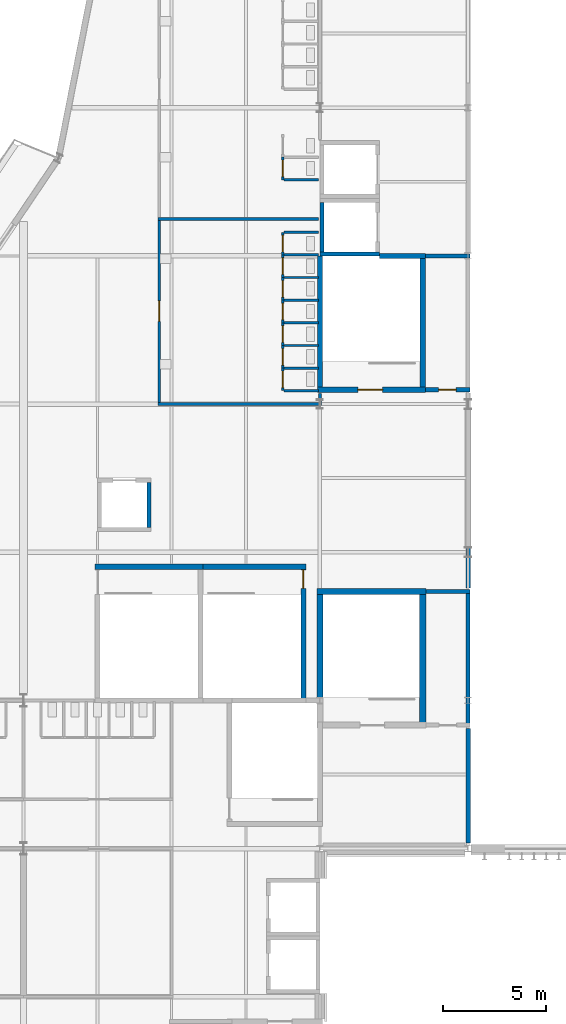
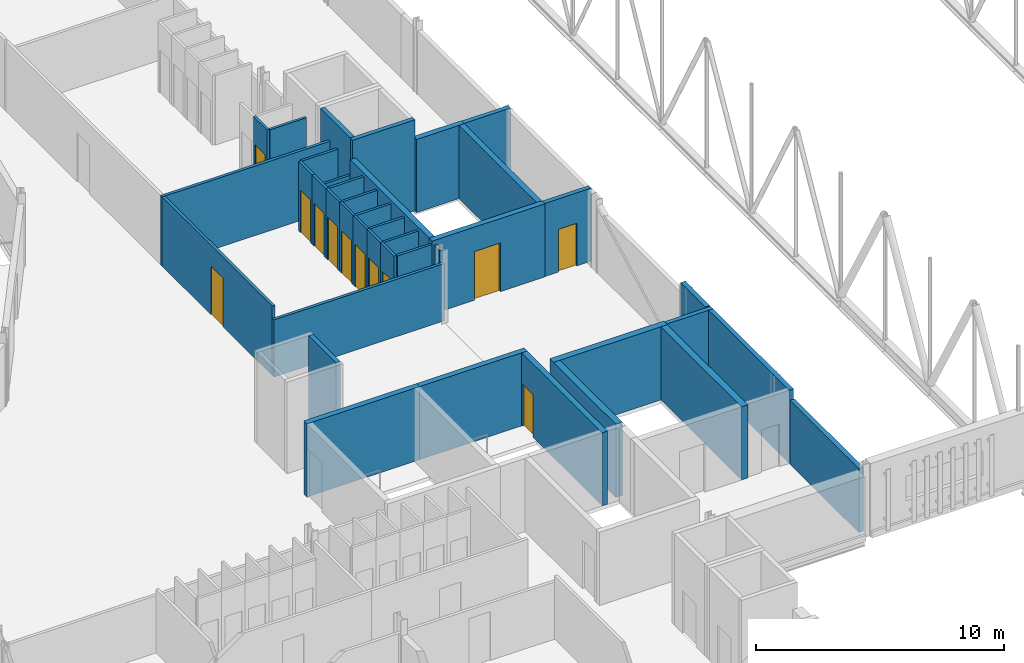
# One storey, part 92 of 142: 40 walls, 12 doors, 12 openings.
"""IFC4 building model written with IfcOpenShell, lengths in metres."""

from ifc_helpers import new_model, si_unit, direction, frame, frame_2d, origin, place, context, subcontext, project, spatial, rectangle, extrude, material, layer, layer_set, type_object, element, fill, save


model = new_model("IFC4")

# Units and contexts
model_context = context("Model", 3, precision=1e-05, world=origin(), true_north=direction((0.0, 1.0)))
body_context = subcontext(model_context, "Body", "Model", "MODEL_VIEW")
ifc_project = project(units=[si_unit("LENGTHUNIT", "METRE"), si_unit("AREAUNIT", "SQUARE_METRE"), si_unit("VOLUMEUNIT", "CUBIC_METRE"), si_unit("PLANEANGLEUNIT", "RADIAN"), si_unit("MASSUNIT", "GRAM", prefix="KILO")], contexts=[model_context])

# Site, building, storey
site_placement = place(None, origin())
site = spatial("IfcSite", under=ifc_project, at=site_placement, CompositionType="ELEMENT")
building_placement = place(site_placement, origin())
building = spatial("IfcBuilding", under=site, at=building_placement, Name="Kupolbacken Congress Centre", CompositionType="ELEMENT")
storey_placement = place(building_placement, frame((0.0, 0.0, 14.39990234375)))
storey = spatial("IfcBuildingStorey", under=building, at=storey_placement, Name="L04", CompositionType="ELEMENT", Elevation=14.39990234375)

# Wall, opening, door
ifc_material_1 = material(Name="Gypsum board", Category="drywall")
ifc_layer_1 = layer(ifc_material_1, 0.114990234375)
ifc_layer_set_1 = layer_set([ifc_layer_1], Name="Gypsum board")
wall_type_1 = type_object("IfcWallType", Name="P04 partition 115", PredefinedType="PARTITIONING", material=ifc_layer_set_1)
wall_1_placement = place(storey_placement, frame((77.39990234375, 65.449951171875, 0.0), z_axis=(0.0, 0.0, 1.0), x_axis=(0.0, 1.0, 0.0)))
wall_1 = element("IfcWall", 1, at=wall_1_placement, inside=storey, type_object=wall_type_1, Name="PD/L04/P-29-11/cub01/F", PredefinedType="PARTITIONING", context=body_context, shape_type="SweptSolid", body=[
    extrude(rectangle(XDim=1.10009765625, YDim=0.114990234375, at=frame_2d((0.550048828125, 0.0))), origin(), (0.0, 0.0, 1.0), 3.420166015625),
])
opening_1_placement = place(wall_1_placement, frame((0.14990234375, 0.0, 0.0)))
opening_1 = element("IfcOpeningElement", 2, at=opening_1_placement, cuts=wall_1, Name="Opening 4.WP105", PredefinedType="OPENING", context=body_context, shape_type="SweptSolid", body=[
    extrude(rectangle(XDim=0.800048828125, YDim=2.10009765625, at=frame_2d((0.39990234375, 1.050048828125))), frame((0.0, 0.0673828125, 0.0), z_axis=(0.0, -1.0, 0.0), x_axis=(1.0, 0.0, 0.0)), (0.0, 0.0, 1.0), 0.135009765625),
])
ifc_material_2 = material(Name="Timber door leaf", Category="wood")
door_type_1 = type_object("IfcDoorType", Name="D2 door 800x2100", OperationType="SINGLE_SWING_LEFT", PredefinedType="DOOR", material=ifc_material_2)
door_1_placement = place(opening_1_placement, origin())
door_1 = element("IfcDoor", 3, at=door_1_placement, inside=storey, type_object=door_type_1, Name="PD/L04/P-29-11/cub01/F/DC", OperationType="SINGLE_SWING_RIGHT", OverallHeight=2.10009765625, OverallWidth=0.800048828125, PredefinedType="DOOR", context=body_context, shape_type="SweptSolid", body=[
    extrude(rectangle(XDim=0.800048828125, YDim=2.10009765625, at=frame_2d((0.39990234375, 1.050048828125))), frame((0.0, 0.02490234375, 0.0), z_axis=(0.0, -1.0, 0.0), x_axis=(1.0, 0.0, 0.0)), (0.0, 0.0, 1.0), 0.050048828125),
])
fill(opening_1, door_1)

# Wall
wall_2_placement = place(storey_placement, frame((79.142578125, 65.449951171875, 0.0), z_axis=(0.0, 0.0, 1.0), x_axis=(-1.0, 0.0, 0.0)))
element("IfcWall", 4, at=wall_2_placement, inside=storey, type_object=wall_type_1, Name="PD/L04/P-29-11/cub01/a", PredefinedType="PARTITIONING", context=body_context, shape_type="SweptSolid", body=[
    extrude(rectangle(XDim=1.68505859375, YDim=0.114990234375, at=frame_2d((0.842529296875, 0.0))), origin(), (0.0, 0.0, 1.0), 3.420166015625),
])

# Wall, opening, door
wall_3_placement = place(storey_placement, frame((77.39990234375, 66.550048828125, 0.0), z_axis=(0.0, 0.0, 1.0), x_axis=(0.0, 1.0, 0.0)))
wall_3 = element("IfcWall", 5, at=wall_3_placement, inside=storey, type_object=wall_type_1, Name="PD/L04/P-29-11/cub02/F", PredefinedType="PARTITIONING", context=body_context, shape_type="SweptSolid", body=[
    extrude(rectangle(XDim=1.099853515625, YDim=0.114990234375, at=frame_2d((0.5498046875, 0.0))), origin(), (0.0, 0.0, 1.0), 3.420166015625),
])
opening_2_placement = place(wall_3_placement, frame((0.14990234375, 0.0, 0.0)))
opening_2 = element("IfcOpeningElement", 6, at=opening_2_placement, cuts=wall_3, Name="Opening 4.WP106", PredefinedType="OPENING", context=body_context, shape_type="SweptSolid", body=[
    extrude(rectangle(XDim=0.800048828125, YDim=2.10009765625, at=frame_2d((0.39990234375, 1.050048828125))), frame((0.0, 0.0673828125, 0.0), z_axis=(0.0, -1.0, 0.0), x_axis=(1.0, 0.0, 0.0)), (0.0, 0.0, 1.0), 0.135009765625),
])
door_2_placement = place(opening_2_placement, origin())
door_2 = element("IfcDoor", 7, at=door_2_placement, inside=storey, type_object=door_type_1, Name="PD/L04/P-29-11/cub02/F/DC", OperationType="SINGLE_SWING_RIGHT", OverallHeight=2.10009765625, OverallWidth=0.800048828125, PredefinedType="DOOR", context=body_context, shape_type="SweptSolid", body=[
    extrude(rectangle(XDim=0.800048828125, YDim=2.10009765625, at=frame_2d((0.39990234375, 1.050048828125))), frame((0.0, 0.02490234375, 0.0), z_axis=(0.0, -1.0, 0.0), x_axis=(1.0, 0.0, 0.0)), (0.0, 0.0, 1.0), 0.050048828125),
])
fill(opening_2, door_2)

# Wall
wall_4_placement = place(storey_placement, frame((79.142578125, 66.550048828125, 0.0), z_axis=(0.0, 0.0, 1.0), x_axis=(-1.0, 0.0, 0.0)))
element("IfcWall", 8, at=wall_4_placement, inside=storey, type_object=wall_type_1, Name="PD/L04/P-29-11/cub02/a", PredefinedType="PARTITIONING", context=body_context, shape_type="SweptSolid", body=[
    extrude(rectangle(XDim=1.68505859375, YDim=0.114990234375, at=frame_2d((0.842529296875, 0.0))), origin(), (0.0, 0.0, 1.0), 3.420166015625),
])

# Wall, opening, door
wall_5_placement = place(storey_placement, frame((77.39990234375, 67.64990234375, 0.0), z_axis=(0.0, 0.0, 1.0), x_axis=(0.0, 1.0, 0.0)))
wall_5 = element("IfcWall", 9, at=wall_5_placement, inside=storey, type_object=wall_type_1, Name="PD/L04/P-29-11/cub03/F", PredefinedType="PARTITIONING", context=body_context, shape_type="SweptSolid", body=[
    extrude(rectangle(XDim=1.10009765625, YDim=0.114990234375, at=frame_2d((0.550048828125, 0.0))), origin(), (0.0, 0.0, 1.0), 3.420166015625),
])
opening_3_placement = place(wall_5_placement, frame((0.14990234375, 0.0, 0.0)))
opening_3 = element("IfcOpeningElement", 10, at=opening_3_placement, cuts=wall_5, Name="Opening 4.WP107", PredefinedType="OPENING", context=body_context, shape_type="SweptSolid", body=[
    extrude(rectangle(XDim=0.800048828125, YDim=2.10009765625, at=frame_2d((0.39990234375, 1.050048828125))), frame((0.0, 0.0673828125, 0.0), z_axis=(0.0, -1.0, 0.0), x_axis=(1.0, 0.0, 0.0)), (0.0, 0.0, 1.0), 0.135009765625),
])
door_3_placement = place(opening_3_placement, origin())
door_3 = element("IfcDoor", 11, at=door_3_placement, inside=storey, type_object=door_type_1, Name="PD/L04/P-29-11/cub03/F/DC", OperationType="SINGLE_SWING_RIGHT", OverallHeight=2.10009765625, OverallWidth=0.800048828125, PredefinedType="DOOR", context=body_context, shape_type="SweptSolid", body=[
    extrude(rectangle(XDim=0.800048828125, YDim=2.10009765625, at=frame_2d((0.39990234375, 1.050048828125))), frame((0.0, 0.02490234375, 0.0), z_axis=(0.0, -1.0, 0.0), x_axis=(1.0, 0.0, 0.0)), (0.0, 0.0, 1.0), 0.050048828125),
])
fill(opening_3, door_3)

# Wall
wall_6_placement = place(storey_placement, frame((79.142578125, 67.64990234375, 0.0), z_axis=(0.0, 0.0, 1.0), x_axis=(-1.0, 0.0, 0.0)))
element("IfcWall", 12, at=wall_6_placement, inside=storey, type_object=wall_type_1, Name="PD/L04/P-29-11/cub03/a", PredefinedType="PARTITIONING", context=body_context, shape_type="SweptSolid", body=[
    extrude(rectangle(XDim=1.68505859375, YDim=0.114990234375, at=frame_2d((0.842529296875, 0.0))), origin(), (0.0, 0.0, 1.0), 3.420166015625),
])

# Wall, opening, door
wall_7_placement = place(storey_placement, frame((77.39990234375, 68.75, 0.0), z_axis=(0.0, 0.0, 1.0), x_axis=(0.0, 1.0, 0.0)))
wall_7 = element("IfcWall", 13, at=wall_7_placement, inside=storey, type_object=wall_type_1, Name="PD/L04/P-29-11/cub04/F", PredefinedType="PARTITIONING", context=body_context, shape_type="SweptSolid", body=[
    extrude(rectangle(XDim=1.10009765625, YDim=0.114990234375, at=frame_2d((0.550048828125, 0.0))), origin(), (0.0, 0.0, 1.0), 3.420166015625),
])
opening_4_placement = place(wall_7_placement, frame((0.14990234375, 0.0, 0.0)))
opening_4 = element("IfcOpeningElement", 14, at=opening_4_placement, cuts=wall_7, Name="Opening 4.WP108", PredefinedType="OPENING", context=body_context, shape_type="SweptSolid", body=[
    extrude(rectangle(XDim=0.800048828125, YDim=2.10009765625, at=frame_2d((0.39990234375, 1.050048828125))), frame((0.0, 0.0673828125, 0.0), z_axis=(0.0, -1.0, 0.0), x_axis=(1.0, 0.0, 0.0)), (0.0, 0.0, 1.0), 0.135009765625),
])
door_4_placement = place(opening_4_placement, origin())
door_4 = element("IfcDoor", 15, at=door_4_placement, inside=storey, type_object=door_type_1, Name="PD/L04/P-29-11/cub04/F/DC", OperationType="SINGLE_SWING_LEFT", OverallHeight=2.10009765625, OverallWidth=0.800048828125, PredefinedType="DOOR", context=body_context, shape_type="SweptSolid", body=[
    extrude(rectangle(XDim=0.800048828125, YDim=2.10009765625, at=frame_2d((0.39990234375, 1.050048828125))), frame((0.0, 0.02490234375, 0.0), z_axis=(0.0, -1.0, 0.0), x_axis=(1.0, 0.0, 0.0)), (0.0, 0.0, 1.0), 0.050048828125),
])
fill(opening_4, door_4)

# Wall
wall_8_placement = place(storey_placement, frame((79.142578125, 68.75, 0.0), z_axis=(0.0, 0.0, 1.0), x_axis=(-1.0, 0.0, 0.0)))
element("IfcWall", 16, at=wall_8_placement, inside=storey, type_object=wall_type_1, Name="PD/L04/P-29-11/cub04/a", PredefinedType="PARTITIONING", context=body_context, shape_type="SweptSolid", body=[
    extrude(rectangle(XDim=1.68505859375, YDim=0.114990234375, at=frame_2d((0.842529296875, 0.0))), origin(), (0.0, 0.0, 1.0), 3.420166015625),
])

# Wall, opening, door
wall_9_placement = place(storey_placement, frame((77.39990234375, 69.85009765625, 0.0), z_axis=(0.0, 0.0, 1.0), x_axis=(0.0, 1.0, 0.0)))
wall_9 = element("IfcWall", 17, at=wall_9_placement, inside=storey, type_object=wall_type_1, Name="PD/L04/P-29-11/cub05/F", PredefinedType="PARTITIONING", context=body_context, shape_type="SweptSolid", body=[
    extrude(rectangle(XDim=1.099853515625, YDim=0.114990234375, at=frame_2d((0.5498046875, 0.0))), origin(), (0.0, 0.0, 1.0), 3.420166015625),
])
opening_5_placement = place(wall_9_placement, frame((0.14990234375, 0.0, 0.0)))
opening_5 = element("IfcOpeningElement", 18, at=opening_5_placement, cuts=wall_9, Name="Opening 4.WP109", PredefinedType="OPENING", context=body_context, shape_type="SweptSolid", body=[
    extrude(rectangle(XDim=0.800048828125, YDim=2.10009765625, at=frame_2d((0.39990234375, 1.050048828125))), frame((0.0, 0.0673828125, 0.0), z_axis=(0.0, -1.0, 0.0), x_axis=(1.0, 0.0, 0.0)), (0.0, 0.0, 1.0), 0.135009765625),
])
door_5_placement = place(opening_5_placement, origin())
door_5 = element("IfcDoor", 19, at=door_5_placement, inside=storey, type_object=door_type_1, Name="PD/L04/P-29-11/cub05/F/DC", OperationType="SINGLE_SWING_LEFT", OverallHeight=2.10009765625, OverallWidth=0.800048828125, PredefinedType="DOOR", context=body_context, shape_type="SweptSolid", body=[
    extrude(rectangle(XDim=0.800048828125, YDim=2.10009765625, at=frame_2d((0.39990234375, 1.050048828125))), frame((0.0, 0.02490234375, 0.0), z_axis=(0.0, -1.0, 0.0), x_axis=(1.0, 0.0, 0.0)), (0.0, 0.0, 1.0), 0.050048828125),
])
fill(opening_5, door_5)

# Wall
wall_10_placement = place(storey_placement, frame((79.142578125, 69.85009765625, 0.0), z_axis=(0.0, 0.0, 1.0), x_axis=(-1.0, 0.0, 0.0)))
element("IfcWall", 20, at=wall_10_placement, inside=storey, type_object=wall_type_1, Name="PD/L04/P-29-11/cub05/a", PredefinedType="PARTITIONING", context=body_context, shape_type="SweptSolid", body=[
    extrude(rectangle(XDim=1.68505859375, YDim=0.114990234375, at=frame_2d((0.842529296875, 0.0))), origin(), (0.0, 0.0, 1.0), 3.420166015625),
])

# Wall, opening, door
wall_11_placement = place(storey_placement, frame((77.39990234375, 70.949951171875, 0.0), z_axis=(0.0, 0.0, 1.0), x_axis=(0.0, 1.0, 0.0)))
wall_11 = element("IfcWall", 21, at=wall_11_placement, inside=storey, type_object=wall_type_1, Name="PD/L04/P-29-11/cub06/F", PredefinedType="PARTITIONING", context=body_context, shape_type="SweptSolid", body=[
    extrude(rectangle(XDim=1.10009765625, YDim=0.114990234375, at=frame_2d((0.550048828125, 0.0))), origin(), (0.0, 0.0, 1.0), 3.420166015625),
])
opening_6_placement = place(wall_11_placement, frame((0.14990234375, 0.0, 0.0)))
opening_6 = element("IfcOpeningElement", 22, at=opening_6_placement, cuts=wall_11, Name="Opening 4.WP110", PredefinedType="OPENING", context=body_context, shape_type="SweptSolid", body=[
    extrude(rectangle(XDim=0.800048828125, YDim=2.10009765625, at=frame_2d((0.39990234375, 1.050048828125))), frame((0.0, 0.0673828125, 0.0), z_axis=(0.0, -1.0, 0.0), x_axis=(1.0, 0.0, 0.0)), (0.0, 0.0, 1.0), 0.135009765625),
])
door_6_placement = place(opening_6_placement, origin())
door_6 = element("IfcDoor", 23, at=door_6_placement, inside=storey, type_object=door_type_1, Name="PD/L04/P-29-11/cub06/F/DC", OperationType="SINGLE_SWING_LEFT", OverallHeight=2.10009765625, OverallWidth=0.800048828125, PredefinedType="DOOR", context=body_context, shape_type="SweptSolid", body=[
    extrude(rectangle(XDim=0.800048828125, YDim=2.10009765625, at=frame_2d((0.39990234375, 1.050048828125))), frame((0.0, 0.02490234375, 0.0), z_axis=(0.0, -1.0, 0.0), x_axis=(1.0, 0.0, 0.0)), (0.0, 0.0, 1.0), 0.050048828125),
])
fill(opening_6, door_6)

# Wall
wall_12_placement = place(storey_placement, frame((79.142578125, 70.949951171875, 0.0), z_axis=(0.0, 0.0, 1.0), x_axis=(-1.0, 0.0, 0.0)))
element("IfcWall", 24, at=wall_12_placement, inside=storey, type_object=wall_type_1, Name="PD/L04/P-29-11/cub06/a", PredefinedType="PARTITIONING", context=body_context, shape_type="SweptSolid", body=[
    extrude(rectangle(XDim=1.68505859375, YDim=0.114990234375, at=frame_2d((0.842529296875, 0.0))), origin(), (0.0, 0.0, 1.0), 3.420166015625),
])

# Wall, opening, door
wall_13_placement = place(storey_placement, frame((77.39990234375, 72.050048828125, 0.0), z_axis=(0.0, 0.0, 1.0), x_axis=(0.0, 1.0, 0.0)))
wall_13 = element("IfcWall", 25, at=wall_13_placement, inside=storey, type_object=wall_type_1, Name="PD/L04/P-29-11/cub07/F", PredefinedType="PARTITIONING", context=body_context, shape_type="SweptSolid", body=[
    extrude(rectangle(XDim=1.099853515625, YDim=0.114990234375, at=frame_2d((0.5498046875, 0.0))), origin(), (0.0, 0.0, 1.0), 3.420166015625),
])
opening_7_placement = place(wall_13_placement, frame((0.14990234375, 0.0, 0.0)))
opening_7 = element("IfcOpeningElement", 26, at=opening_7_placement, cuts=wall_13, Name="Opening 4.WP111", PredefinedType="OPENING", context=body_context, shape_type="SweptSolid", body=[
    extrude(rectangle(XDim=0.800048828125, YDim=2.10009765625, at=frame_2d((0.39990234375, 1.050048828125))), frame((0.0, 0.0673828125, 0.0), z_axis=(0.0, -1.0, 0.0), x_axis=(1.0, 0.0, 0.0)), (0.0, 0.0, 1.0), 0.135009765625),
])
door_7_placement = place(opening_7_placement, origin())
door_7 = element("IfcDoor", 27, at=door_7_placement, inside=storey, type_object=door_type_1, Name="PD/L04/P-29-11/cub07/F/DC", OperationType="SINGLE_SWING_LEFT", OverallHeight=2.10009765625, OverallWidth=0.800048828125, PredefinedType="DOOR", context=body_context, shape_type="SweptSolid", body=[
    extrude(rectangle(XDim=0.800048828125, YDim=2.10009765625, at=frame_2d((0.39990234375, 1.050048828125))), frame((0.0, 0.02490234375, 0.0), z_axis=(0.0, -1.0, 0.0), x_axis=(1.0, 0.0, 0.0)), (0.0, 0.0, 1.0), 0.050048828125),
])
fill(opening_7, door_7)

# Walls
wall_14_placement = place(storey_placement, frame((79.142578125, 72.050048828125, 0.0), z_axis=(0.0, 0.0, 1.0), x_axis=(-1.0, 0.0, 0.0)))
element("IfcWall", 28, at=wall_14_placement, inside=storey, type_object=wall_type_1, Name="PD/L04/P-29-11/cub07/a", PredefinedType="PARTITIONING", context=body_context, shape_type="SweptSolid", body=[
    extrude(rectangle(XDim=1.68505859375, YDim=0.114990234375, at=frame_2d((0.842529296875, 0.0))), origin(), (0.0, 0.0, 1.0), 2.820068359375),
])
wall_15_placement = place(storey_placement, frame((79.142578125, 73.14990234375, 0.0), z_axis=(0.0, 0.0, 1.0), x_axis=(-1.0, 0.0, 0.0)))
element("IfcWall", 29, at=wall_15_placement, inside=storey, type_object=wall_type_1, Name="PD/L04/P-29-11/cub07/b", PredefinedType="PARTITIONING", context=body_context, shape_type="SweptSolid", body=[
    extrude(rectangle(XDim=1.68505859375, YDim=0.114990234375, at=frame_2d((0.842529296875, 0.0))), origin(), (0.0, 0.0, 1.0), 3.420166015625),
])

# Wall, opening, door
wall_16_placement = place(storey_placement, frame((77.39990234375, 75.699951171875, 0.0), z_axis=(0.0, 0.0, 1.0), x_axis=(0.0, 1.0, 0.0)))
wall_16 = element("IfcWall", 30, at=wall_16_placement, inside=storey, type_object=wall_type_1, Name="PD/L04/P-30-12/cub01/F", PredefinedType="PARTITIONING", context=body_context, shape_type="SweptSolid", body=[
    extrude(rectangle(XDim=1.10009765625, YDim=0.114990234375, at=frame_2d((0.550048828125, 0.0))), origin(), (0.0, 0.0, 1.0), 3.420166015625),
])
opening_8_placement = place(wall_16_placement, frame((0.14990234375, 0.0, 0.0)))
opening_8 = element("IfcOpeningElement", 31, at=opening_8_placement, cuts=wall_16, Name="Opening 4.WP112", PredefinedType="OPENING", context=body_context, shape_type="SweptSolid", body=[
    extrude(rectangle(XDim=0.800048828125, YDim=2.10009765625, at=frame_2d((0.39990234375, 1.050048828125))), frame((0.0, 0.0673828125, 0.0), z_axis=(0.0, -1.0, 0.0), x_axis=(1.0, 0.0, 0.0)), (0.0, 0.0, 1.0), 0.135009765625),
])
door_8_placement = place(opening_8_placement, origin())
door_8 = element("IfcDoor", 32, at=door_8_placement, inside=storey, type_object=door_type_1, Name="PD/L04/P-30-12/cub01/F/DC", OperationType="SINGLE_SWING_RIGHT", OverallHeight=2.10009765625, OverallWidth=0.800048828125, PredefinedType="DOOR", context=body_context, shape_type="SweptSolid", body=[
    extrude(rectangle(XDim=0.800048828125, YDim=2.10009765625, at=frame_2d((0.39990234375, 1.050048828125))), frame((0.0, 0.02490234375, 0.0), z_axis=(0.0, -1.0, 0.0), x_axis=(1.0, 0.0, 0.0)), (0.0, 0.0, 1.0), 0.050048828125),
])
fill(opening_8, door_8)

# Walls
wall_17_placement = place(storey_placement, frame((79.142578125, 75.699951171875, 0.0), z_axis=(0.0, 0.0, 1.0), x_axis=(-1.0, 0.0, 0.0)))
element("IfcWall", 33, at=wall_17_placement, inside=storey, type_object=wall_type_1, Name="PD/L04/P-30-12/cub01/a", PredefinedType="PARTITIONING", context=body_context, shape_type="SweptSolid", body=[
    extrude(rectangle(XDim=1.68505859375, YDim=0.114990234375, at=frame_2d((0.842529296875, 0.0))), origin(), (0.0, 0.0, 1.0), 3.420166015625),
])
ifc_material_3 = material(Name="Gypsum board", Category="drywall")
ifc_layer_2 = layer(ifc_material_3, 0.135009765625)
ifc_layer_set_2 = layer_set([ifc_layer_2], Name="Gypsum board")
wall_type_2 = type_object("IfcWallType", Name="P06 compartment wall 135", PredefinedType="PARTITIONING", material=ifc_layer_set_2)
wall_18_placement = place(storey_placement, frame((79.199951171875, 65.31494140625, 0.0), z_axis=(0.0, 0.0, 1.0), x_axis=(0.0, -1.0, 0.0)))
element("IfcWall", 34, at=wall_18_placement, inside=storey, type_object=wall_type_2, Name="PD/L04/W009", PredefinedType="PARTITIONING", context=body_context, shape_type="SweptSolid", body=[
    extrude(rectangle(XDim=0.447509765625, YDim=0.135009765625, at=frame_2d((0.2236328125, 0.0))), origin(), (0.0, 0.0, 1.0), 3.420166015625),
])
wall_19_placement = place(storey_placement, frame((71.33251953125, 73.800048828125, 0.0), z_axis=(0.0, 0.0, 1.0), x_axis=(1.0, 0.0, 0.0)))
element("IfcWall", 35, at=wall_19_placement, inside=storey, type_object=wall_type_2, Name="PD/L04/W066", PredefinedType="PARTITIONING", context=body_context, shape_type="SweptSolid", body=[
    extrude(rectangle(XDim=7.807373046875, YDim=0.135009765625, at=frame_2d((3.90380859375, 0.0))), origin(), (0.0, 0.0, 1.0), 3.420166015625),
])
wall_20_placement = place(storey_placement, frame((79.267578125, 64.800048828125, 0.0), z_axis=(0.0, 0.0, 1.0), x_axis=(-1.0, 0.0, 0.0)))
element("IfcWall", 36, at=wall_20_placement, inside=storey, type_object=wall_type_2, Name="PD/L04/W067", PredefinedType="PARTITIONING", context=body_context, shape_type="SweptSolid", body=[
    extrude(rectangle(XDim=7.93505859375, YDim=0.135009765625, at=frame_2d((3.967529296875, 0.0))), origin(), (0.0, 0.0, 1.0), 2.820068359375),
])

# Wall, opening, door
wall_21_placement = place(storey_placement, frame((71.39990234375, 64.867431640625, 0.0), z_axis=(0.0, 0.0, 1.0), x_axis=(0.0, 1.0, 0.0)))
wall_21 = element("IfcWall", 37, at=wall_21_placement, inside=storey, type_object=wall_type_2, Name="PD/L04/W068", PredefinedType="PARTITIONING", context=body_context, shape_type="SweptSolid", body=[
    extrude(rectangle(XDim=8.864990234375, YDim=0.135009765625, at=frame_2d((4.4326171875, 0.0))), origin(), (0.0, 0.0, 1.0), 3.420166015625),
])
opening_9_placement = place(wall_21_placement, frame((3.949951171875, 0.0, 0.0)))
opening_9 = element("IfcOpeningElement", 38, at=opening_9_placement, cuts=wall_21, Name="Opening 4.P17", PredefinedType="OPENING", context=body_context, shape_type="SweptSolid", body=[
    extrude(rectangle(XDim=1.0, YDim=2.39990234375, at=frame_2d((0.5, 1.199951171875))), frame((0.0, 0.077392578125, 0.0), z_axis=(0.0, -1.0, 0.0), x_axis=(1.0, 0.0, 0.0)), (0.0, 0.0, 1.0), 0.155029296875),
])
ifc_material_4 = material(Name="Steel fire door leaf", Category="steel")
door_type_2 = type_object("IfcDoorType", Name="D8 fire door 1000x2400", OperationType="SINGLE_SWING_LEFT", PredefinedType="DOOR", material=ifc_material_4)
door_9_placement = place(opening_9_placement, frame((1.0, 0.0, 0.0), z_axis=(0.0, 0.0, 1.0), x_axis=(-1.0, 0.0, 0.0)))
door_9 = element("IfcDoor", 39, at=door_9_placement, inside=storey, type_object=door_type_2, Name="PD/L04/W068/D4P17", OperationType="SINGLE_SWING_LEFT", OverallHeight=2.39990234375, OverallWidth=1.0, PredefinedType="DOOR", context=body_context, shape_type="SweptSolid", body=[
    extrude(rectangle(XDim=1.0, YDim=2.39990234375, at=frame_2d((0.5, 1.199951171875))), frame((0.0, 0.02490234375, 0.0), z_axis=(0.0, -1.0, 0.0), x_axis=(1.0, 0.0, 0.0)), (0.0, 0.0, 1.0), 0.050048828125),
])
fill(opening_9, door_9)

# Walls
ifc_material_5 = material(Name="Dense concrete block", Category="masonry")
ifc_layer_3 = layer(ifc_material_5, 0.215087890625)
ifc_layer_set_3 = layer_set([ifc_layer_3], Name="Dense concrete block")
wall_type_3 = type_object("IfcWallType", Name="P15 partition 215", PredefinedType="PARTITIONING", material=ifc_layer_set_3)
wall_22_placement = place(storey_placement, frame((86.39990234375, 43.47998046875, 0.0), z_axis=(0.0, 0.0, 1.0), x_axis=(0.0, 1.0, 0.0)))
element("IfcWall", 40, at=wall_22_placement, inside=storey, type_object=wall_type_3, Name="PD/L04/W008", PredefinedType="PARTITIONING", context=body_context, shape_type="SweptSolid", body=[
    extrude(rectangle(XDim=5.56005859375, YDim=0.215087890625, at=frame_2d((2.780029296875, 0.0))), origin(), (0.0, 0.0, 1.0), 3.149169921875),
])
wall_23_placement = place(storey_placement, frame((86.39990234375, 55.860107421875, 0.0), z_axis=(0.0, 0.0, 1.0), x_axis=(0.0, 1.0, 0.0)))
element("IfcWall", 41, at=wall_23_placement, inside=storey, type_object=wall_type_3, Name="PD/L04/W010", PredefinedType="PARTITIONING", context=body_context, shape_type="SweptSolid", body=[
    extrude(rectangle(XDim=1.98486328125, YDim=0.215087890625, at=frame_2d((0.992431640625, 0.0))), origin(), (0.0, 0.0, 1.0), 3.60009765625),
])
ifc_material_6 = material(Name="Concrete C40/50", Category="concrete")
ifc_layer_4 = layer(ifc_material_6, 0.199951171875)
ifc_layer_set_4 = layer_set([ifc_layer_4], Name="Concrete C40/50")
wall_type_4 = type_object("IfcWallType", Name="WC1 RC shaft wall 200", PredefinedType="SHEAR", material=ifc_layer_set_4)
wall_24_placement = place(storey_placement, frame((86.39990234375, 49.10009765625, 0.0), z_axis=(0.0, 0.0, 1.0), x_axis=(0.0, 1.0, 0.0)))
element("IfcWall", 42, at=wall_24_placement, inside=storey, type_object=wall_type_4, Name="Shaft wall L04-022", PredefinedType="SHEAR", context=body_context, shape_type="SweptSolid", body=[
    extrude(rectangle(XDim=6.699951171875, YDim=0.199951171875, at=frame_2d((3.35009765625, 0.0))), origin(), (0.0, 0.0, 1.0), 3.60009765625),
])
wall_25_placement = place(storey_placement, frame((86.5, 55.699951171875, 0.0), z_axis=(0.0, 0.0, 1.0), x_axis=(-1.0, 0.0, 0.0)))
element("IfcWall", 43, at=wall_25_placement, inside=storey, type_object=wall_type_4, Name="Shaft wall L04-039", PredefinedType="SHEAR", context=body_context, shape_type="SweptSolid", body=[
    extrude(rectangle(XDim=2.14990234375, YDim=0.199951171875, at=frame_2d((1.074951171875, 0.0))), origin(), (0.0, 0.0, 1.0), 3.60009765625),
])

# Wall, opening, door
wall_26_placement = place(storey_placement, frame((84.324951171875, 65.5, 0.0), z_axis=(0.0, 0.0, 1.0), x_axis=(1.0, 0.0, 0.0)))
wall_26 = element("IfcWall", 44, at=wall_26_placement, inside=storey, type_object=wall_type_4, Name="Shaft wall L04-046", PredefinedType="SHEAR", context=body_context, shape_type="SweptSolid", body=[
    extrude(rectangle(XDim=2.175048828125, YDim=0.199951171875, at=frame_2d((1.08740234375, 0.0))), origin(), (0.0, 0.0, 1.0), 3.60009765625),
])
opening_10_placement = place(wall_26_placement, frame((0.64990234375, 0.0, 0.0)))
opening_10 = element("IfcOpeningElement", 45, at=opening_10_placement, cuts=wall_26, Name="Opening 4.L07", PredefinedType="OPENING", context=body_context, shape_type="SweptSolid", body=[
    extrude(rectangle(XDim=0.85009765625, YDim=2.10009765625, at=frame_2d((0.425048828125, 1.050048828125))), frame((0.0, 0.10986328125, 0.0), z_axis=(0.0, -1.0, 0.0), x_axis=(1.0, 0.0, 0.0)), (0.0, 0.0, 1.0), 0.219970703125),
])
ifc_material_7 = material(Name="Steel fire door leaf", Category="steel")
door_type_3 = type_object("IfcDoorType", Name="D3 fire door 850x2100", OperationType="SINGLE_SWING_LEFT", PredefinedType="DOOR", material=ifc_material_7)
door_10_placement = place(opening_10_placement, origin())
door_10 = element("IfcDoor", 46, at=door_10_placement, inside=storey, type_object=door_type_3, Name="S/core/L04/046/D4L07", OperationType="SINGLE_SWING_LEFT", OverallHeight=2.10009765625, OverallWidth=0.85009765625, PredefinedType="DOOR", context=body_context, shape_type="SweptSolid", body=[
    extrude(rectangle(XDim=0.85009765625, YDim=2.10009765625, at=frame_2d((0.425048828125, 1.050048828125))), frame((0.0, 0.02490234375, 0.0), z_axis=(0.0, -1.0, 0.0), x_axis=(1.0, 0.0, 0.0)), (0.0, 0.0, 1.0), 0.050048828125),
])
fill(opening_10, door_10)

# Walls
wall_27_placement = place(storey_placement, frame((86.5, 72.0, 0.0), z_axis=(0.0, 0.0, 1.0), x_axis=(-1.0, 0.0, 0.0)))
element("IfcWall", 47, at=wall_27_placement, inside=storey, type_object=wall_type_4, Name="Shaft wall L04-051", PredefinedType="SHEAR", context=body_context, shape_type="SweptSolid", body=[
    extrude(rectangle(XDim=2.175048828125, YDim=0.199951171875, at=frame_2d((1.08740234375, 0.0))), origin(), (0.0, 0.0, 1.0), 3.60009765625),
])
wall_28_placement = place(storey_placement, frame((70.89990234375, 58.800048828125, 0.0), z_axis=(0.0, 0.0, 1.0), x_axis=(0.0, 1.0, 0.0)))
element("IfcWall", 48, at=wall_28_placement, inside=storey, type_object=wall_type_4, Name="Shaft wall LP6", PredefinedType="SHEAR", context=body_context, shape_type="SweptSolid", body=[
    extrude(rectangle(XDim=2.199951171875, YDim=0.199951171875, at=frame_2d((1.10009765625, 0.0))), origin(), (0.0, 0.0, 1.0), 4.5),
])
wall_29_placement = place(storey_placement, frame((79.199951171875, 72.10009765625, 0.0), z_axis=(0.0, 0.0, 1.0), x_axis=(1.0, 0.0, 0.0)))
element("IfcWall", 49, at=wall_29_placement, inside=storey, type_object=wall_type_4, Name="Shaft wall LG3", PredefinedType="SHEAR", context=body_context, shape_type="SweptSolid", body=[
    extrude(rectangle(XDim=2.900146484375, YDim=0.199951171875, at=frame_2d((1.4501953125, 0.0))), origin(), (0.0, 0.0, 1.0), 4.5),
])
wall_30_placement = place(storey_placement, frame((79.300048828125, 72.199951171875, 0.0), z_axis=(0.0, 0.0, 1.0), x_axis=(0.0, 1.0, 0.0)))
element("IfcWall", 50, at=wall_30_placement, inside=storey, type_object=wall_type_4, Name="Shaft wall LG3", PredefinedType="SHEAR", context=body_context, shape_type="SweptSolid", body=[
    extrude(rectangle(XDim=2.400146484375, YDim=0.199951171875, at=frame_2d((1.2001953125, 0.0))), origin(), (0.0, 0.0, 1.0), 4.5),
])

# Wall, opening, door
ifc_material_8 = material(Name="Concrete C40/50", Category="concrete")
ifc_layer_5 = layer(ifc_material_8, 0.25)
ifc_layer_set_5 = layer_set([ifc_layer_5], Name="Concrete C40/50")
wall_type_5 = type_object("IfcWallType", Name="WC2 RC stair enclosure wall 250", PredefinedType="SHEAR", material=ifc_layer_set_5)
wall_31_placement = place(storey_placement, frame((78.39990234375, 50.27490234375, 0.0), z_axis=(0.0, 0.0, 1.0), x_axis=(0.0, 1.0, 0.0)))
wall_31 = element("IfcWall", 51, at=wall_31_placement, inside=storey, type_object=wall_type_5, Name="Stair enclosure wall L04-032", PredefinedType="SHEAR", context=body_context, shape_type="SweptSolid", body=[
    extrude(rectangle(XDim=6.75, YDim=0.25, at=frame_2d((3.375, 0.0))), origin(), (0.0, 0.0, 1.0), 3.60009765625),
])
opening_11_placement = place(wall_31_placement, frame((5.574951171875, 0.0, 0.0)))
opening_11 = element("IfcOpeningElement", 52, at=opening_11_placement, cuts=wall_31, Name="Opening 4.P04", PredefinedType="OPENING", context=body_context, shape_type="SweptSolid", body=[
    extrude(rectangle(XDim=0.89990234375, YDim=2.10009765625, at=frame_2d((0.449951171875, 1.050048828125))), frame((0.0, 0.135009765625, 0.0), z_axis=(0.0, -1.0, 0.0), x_axis=(1.0, 0.0, 0.0)), (0.0, 0.0, 1.0), 0.27001953125),
])
ifc_material_9 = material(Name="Steel fire door leaf", Category="steel")
door_type_4 = type_object("IfcDoorType", Name="D4 fire door 900x2100", OperationType="SINGLE_SWING_LEFT", PredefinedType="DOOR", material=ifc_material_9)
door_11_placement = place(opening_11_placement, origin())
door_11 = element("IfcDoor", 53, at=door_11_placement, inside=storey, type_object=door_type_4, Name="S/core/L04/032/D4P04", OperationType="SINGLE_SWING_LEFT", OverallHeight=2.10009765625, OverallWidth=0.89990234375, PredefinedType="DOOR", context=body_context, shape_type="SweptSolid", body=[
    extrude(rectangle(XDim=0.89990234375, YDim=2.10009765625, at=frame_2d((0.449951171875, 1.050048828125))), frame((0.0, 0.02490234375, 0.0), z_axis=(0.0, -1.0, 0.0), x_axis=(1.0, 0.0, 0.0)), (0.0, 0.0, 1.0), 0.050048828125),
])
fill(opening_11, door_11)

# Walls
wall_32_placement = place(storey_placement, frame((73.52490234375, 56.89990234375, 0.0), z_axis=(0.0, 0.0, 1.0), x_axis=(-1.0, 0.0, 0.0)))
element("IfcWall", 54, at=wall_32_placement, inside=storey, type_object=wall_type_5, Name="Stair enclosure wall L04-041", PredefinedType="SHEAR", context=body_context, shape_type="SweptSolid", body=[
    extrude(rectangle(XDim=5.25, YDim=0.25, at=frame_2d((2.625, 0.0))), origin(), (0.0, 0.0, 1.0), 3.60009765625),
])
wall_33_placement = place(storey_placement, frame((78.52490234375, 56.89990234375, 0.0), z_axis=(0.0, 0.0, 1.0), x_axis=(-1.0, 0.0, 0.0)))
element("IfcWall", 55, at=wall_33_placement, inside=storey, type_object=wall_type_5, Name="Stair enclosure wall L04-042", PredefinedType="SHEAR", context=body_context, shape_type="SweptSolid", body=[
    extrude(rectangle(XDim=5.0, YDim=0.25, at=frame_2d((2.5, 0.0))), origin(), (0.0, 0.0, 1.0), 3.60009765625),
])

# Wall, opening, door
wall_34_placement = place(storey_placement, frame((79.074951171875, 65.5, 0.0), z_axis=(0.0, 0.0, 1.0), x_axis=(1.0, 0.0, 0.0)))
wall_34 = element("IfcWall", 56, at=wall_34_placement, inside=storey, type_object=wall_type_5, Name="Stair enclosure wall L04-045", PredefinedType="SHEAR", context=body_context, shape_type="SweptSolid", body=[
    extrude(rectangle(XDim=5.25, YDim=0.25, at=frame_2d((2.625, 0.0))), origin(), (0.0, 0.0, 1.0), 3.60009765625),
])
opening_12_placement = place(wall_34_placement, frame((1.97509765625, 0.0, 0.0)))
opening_12 = element("IfcOpeningElement", 57, at=opening_12_placement, cuts=wall_34, Name="Opening 4.L02", PredefinedType="OPENING", context=body_context, shape_type="SweptSolid", body=[
    extrude(rectangle(XDim=1.199951171875, YDim=2.39990234375, at=frame_2d((0.60009765625, 1.199951171875))), frame((0.0, 0.135009765625, 0.0), z_axis=(0.0, -1.0, 0.0), x_axis=(1.0, 0.0, 0.0)), (0.0, 0.0, 1.0), 0.27001953125),
])
ifc_material_10 = material(Name="Steel fire door leaf", Category="steel")
door_type_5 = type_object("IfcDoorType", Name="D9 fire door 1200x2400", OperationType="SINGLE_SWING_LEFT", PredefinedType="DOOR", material=ifc_material_10)
door_12_placement = place(opening_12_placement, origin())
door_12 = element("IfcDoor", 58, at=door_12_placement, inside=storey, type_object=door_type_5, Name="S/core/L04/045/D4L02", OperationType="SINGLE_SWING_RIGHT", OverallHeight=2.39990234375, OverallWidth=1.199951171875, PredefinedType="DOOR", context=body_context, shape_type="SweptSolid", body=[
    extrude(rectangle(XDim=1.199951171875, YDim=2.39990234375, at=frame_2d((0.60009765625, 1.199951171875))), frame((0.0, 0.02490234375, 0.0), z_axis=(0.0, -1.0, 0.0), x_axis=(1.0, 0.0, 0.0)), (0.0, 0.0, 1.0), 0.050048828125),
])
fill(opening_12, door_12)

# Walls
wall_35_placement = place(storey_placement, frame((84.199951171875, 65.375, 0.0), z_axis=(0.0, 0.0, 1.0), x_axis=(0.0, 1.0, 0.0)))
element("IfcWall", 59, at=wall_35_placement, inside=storey, type_object=wall_type_5, Name="Stair enclosure wall L04-047", PredefinedType="SHEAR", context=body_context, shape_type="SweptSolid", body=[
    extrude(rectangle(XDim=6.75, YDim=0.25, at=frame_2d((3.375, 0.0))), origin(), (0.0, 0.0, 1.0), 3.60009765625),
])
wall_36_placement = place(storey_placement, frame((79.199951171875, 72.0, 0.0), z_axis=(0.0, 0.0, 1.0), x_axis=(0.0, -1.0, 0.0)))
element("IfcWall", 60, at=wall_36_placement, inside=storey, type_object=wall_type_5, Name="Stair enclosure wall L04-049", PredefinedType="SHEAR", context=body_context, shape_type="SweptSolid", body=[
    extrude(rectangle(XDim=6.625, YDim=0.25, at=frame_2d((3.3125, 0.0))), origin(), (0.0, 0.0, 1.0), 3.60009765625),
])
wall_37_placement = place(storey_placement, frame((82.10009765625, 72.0, 0.0), z_axis=(0.0, 0.0, 1.0), x_axis=(1.0, 0.0, 0.0)))
element("IfcWall", 61, at=wall_37_placement, inside=storey, type_object=wall_type_5, Name="Stair enclosure wall L04-050", PredefinedType="SHEAR", context=body_context, shape_type="SweptSolid", body=[
    extrude(rectangle(XDim=2.224853515625, YDim=0.25, at=frame_2d((1.1123046875, 0.0))), origin(), (0.0, 0.0, 1.0), 3.60009765625),
])
ifc_material_11 = material(Name="Concrete C40/50", Category="concrete")
ifc_layer_6 = layer(ifc_material_11, 0.300048828125)
ifc_layer_set_6 = layer_set([ifc_layer_6], Name="Concrete C40/50")
wall_type_6 = type_object("IfcWallType", Name="WC3 RC core wall 300", PredefinedType="SHEAR", material=ifc_layer_set_6)
wall_38_placement = place(storey_placement, frame((84.199951171875, 49.050048828125, 0.0), z_axis=(0.0, 0.0, 1.0), x_axis=(0.0, 1.0, 0.0)))
element("IfcWall", 62, at=wall_38_placement, inside=storey, type_object=wall_type_6, Name="Core wall L04-021", PredefinedType="SHEAR", context=body_context, shape_type="SweptSolid", body=[
    extrude(rectangle(XDim=6.800048828125, YDim=0.300048828125, at=frame_2d((3.39990234375, 0.0))), origin(), (0.0, 0.0, 1.0), 3.60009765625),
])
wall_39_placement = place(storey_placement, frame((79.199951171875, 55.85009765625, 0.0), z_axis=(0.0, 0.0, 1.0), x_axis=(0.0, -1.0, 0.0)))
element("IfcWall", 63, at=wall_39_placement, inside=storey, type_object=wall_type_6, Name="Core wall L04-037", PredefinedType="SHEAR", context=body_context, shape_type="SweptSolid", body=[
    extrude(rectangle(XDim=5.3251953125, YDim=0.300048828125, at=frame_2d((2.66259765625, 0.0))), origin(), (0.0, 0.0, 1.0), 3.60009765625),
])
wall_40_placement = place(storey_placement, frame((84.35009765625, 55.699951171875, 0.0), z_axis=(0.0, 0.0, 1.0), x_axis=(-1.0, 0.0, 0.0)))
element("IfcWall", 64, at=wall_40_placement, inside=storey, type_object=wall_type_6, Name="Core wall L04-038", PredefinedType="SHEAR", context=body_context, shape_type="SweptSolid", body=[
    extrude(rectangle(XDim=5.300048828125, YDim=0.300048828125, at=frame_2d((2.64990234375, 0.0))), origin(), (0.0, 0.0, 1.0), 3.60009765625),
])

save(model, "model.ifc")
